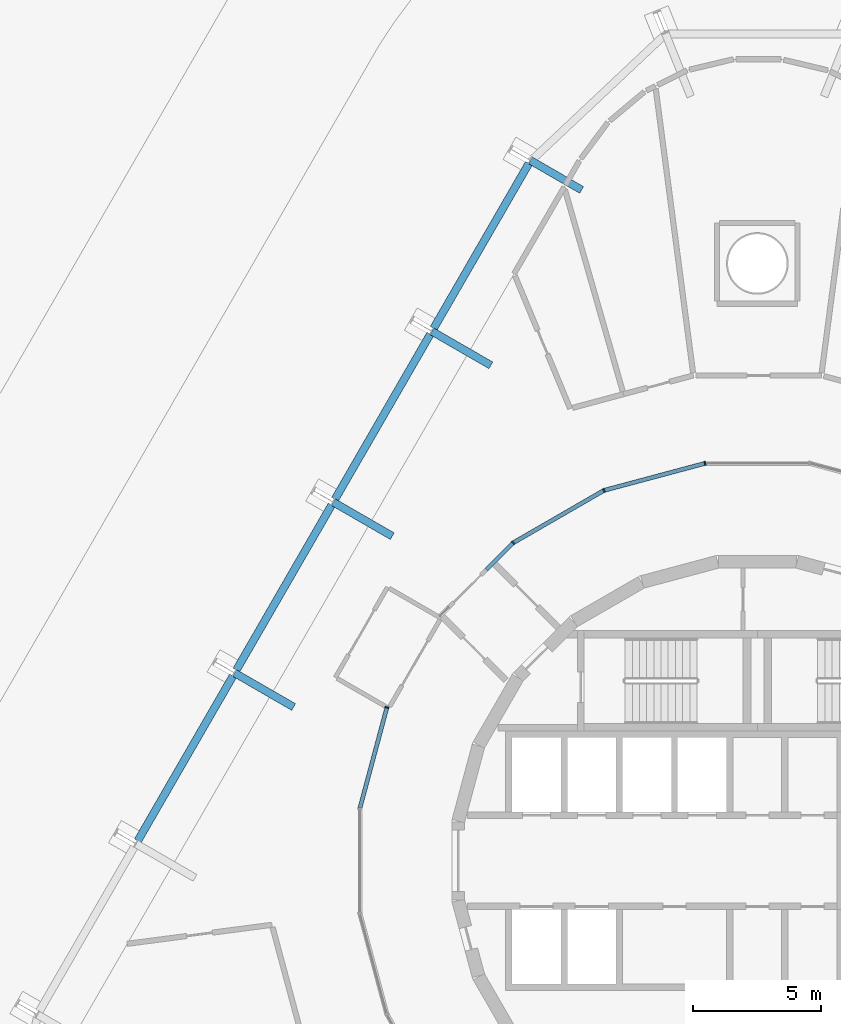
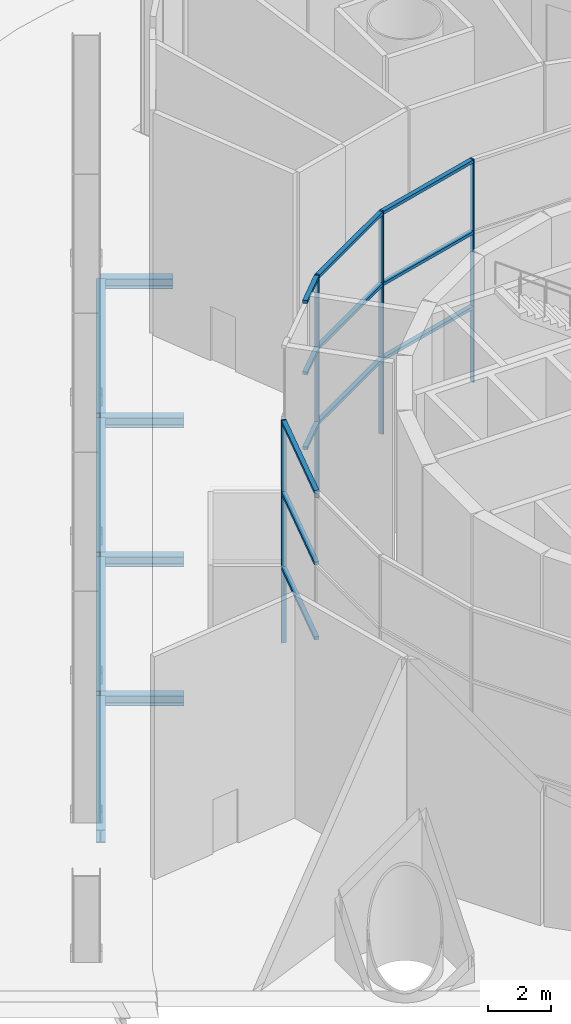
# One storey, part 8 of 21: 16 members, 8 beams, 4 elements without a shape of their own.
"""IFC4 building model written with IfcOpenShell, lengths in metres."""

from ifc_helpers import new_model, si_unit, direction, frame, origin, origin_2d, place, context, subcontext, project, spatial, rectangle, i_section, extrude, material, layer, layer_set, material_profile, profile_set, type_object, element, aggregate, save


model = new_model("IFC4")

# Units and contexts
model_context = context("Model", 3, precision=1e-05, world=origin(), true_north=direction((0.0, 1.0)))
body_context = subcontext(model_context, "Body", "Model", "MODEL_VIEW")
ifc_project = project(units=[si_unit("LENGTHUNIT", "METRE"), si_unit("AREAUNIT", "SQUARE_METRE"), si_unit("VOLUMEUNIT", "CUBIC_METRE"), si_unit("PLANEANGLEUNIT", "RADIAN"), si_unit("MASSUNIT", "GRAM", prefix="KILO")], contexts=[model_context])

# Site, building, storey
site_placement = place(None, origin())
site = spatial("IfcSite", under=ifc_project, at=site_placement, CompositionType="ELEMENT")
building_placement = place(site_placement, origin())
building = spatial("IfcBuilding", under=site, at=building_placement, Name="Spindle Arch Residences", CompositionType="ELEMENT")
storey_placement = place(building_placement, origin())
storey = spatial("IfcBuildingStorey", under=building, at=storey_placement, Name="L00", CompositionType="ELEMENT", Elevation=0.0)

# Curtain wall, member
ifc_material_1 = material(Name="Aluminium bronze unitised frame with tinted glass", Category="aluminium")
ifc_layer = layer(ifc_material_1, 0.159912109375)
ifc_layer_set = layer_set([ifc_layer], Name="CW-A arcade glazed lobby wall")
curtain_wall_type = type_object("IfcCurtainWallType", Name="CW-A arcade glazed lobby wall", PredefinedType="NOTDEFINED", material=ifc_layer_set)
curtain_wall_1_placement = place(storey_placement, origin())
curtain_wall_1 = element("IfcCurtainWall", 1, at=curtain_wall_1_placement, inside=storey, type_object=curtain_wall_type, Name="CW-A L00 CWA11", PredefinedType="NOTDEFINED")
ifc_material_2 = material(Name="Aluminium bronze anodised mullion", Category="aluminium")
ifc_material_profile_1 = material_profile(ifc_material_2, rectangle(XDim=0.159912109375, YDim=0.06005859375, at=origin_2d()), Name="MU 60x160")
ifc_profile_set_1 = profile_set([ifc_material_profile_1], Name="Aluminium bronze anodised mullion")
member_type_1 = type_object("IfcMemberType", Name="Bronze mullion 60x160", PredefinedType="MULLION", material=ifc_profile_set_1)
member_1_placement = place(storey_placement, frame((-2.037353515625, 15.4765625, 0.0), z_axis=(0.0, 0.0, 1.0), x_axis=(0.258786338994, -0.965934589271, 0.0)))
member_1 = element("IfcMember", 2, at=member_1_placement, type_object=member_type_1, Name="CW-A mullion 1", PredefinedType="MULLION", context=body_context, shape_type="SweptSolid", body=[
    extrude(rectangle(XDim=0.159912109375, YDim=0.06005859375, at=origin_2d()), origin(), (0.0, 0.0, 1.0), 8.6201171875),
])

curtain_wall_2_placement = place(storey_placement, origin())
curtain_wall_2 = element("IfcCurtainWall", 3, at=curtain_wall_2_placement, inside=storey, type_object=curtain_wall_type, Name="CW-A L00 CWA12", PredefinedType="NOTDEFINED")
member_2_placement = place(storey_placement, frame((-5.973876953125, 14.422119140625, 0.0), z_axis=(0.0, 0.0, 1.0), x_axis=(0.500022695718, -0.866012300009, 0.0)))
member_2 = element("IfcMember", 4, at=member_2_placement, type_object=member_type_1, Name="CW-A mullion 1", PredefinedType="MULLION", context=body_context, shape_type="SweptSolid", body=[
    extrude(rectangle(XDim=0.159912109375, YDim=0.06005859375, at=origin_2d()), origin(), (0.0, 0.0, 1.0), 8.6201171875),
])

curtain_wall_3_placement = place(storey_placement, origin())
curtain_wall_3 = element("IfcCurtainWall", 5, at=curtain_wall_3_placement, inside=storey, type_object=curtain_wall_type, Name="CW-A L00 CWA13", PredefinedType="NOTDEFINED")
member_3_placement = place(storey_placement, frame((-9.5029296875, 12.38427734375, 0.0), z_axis=(0.0, 0.0, 1.0), x_axis=(0.707106781187, -0.707106781187, 0.0)))
member_3 = element("IfcMember", 6, at=member_3_placement, type_object=member_type_1, Name="CW-A mullion 1", PredefinedType="MULLION", context=body_context, shape_type="SweptSolid", body=[
    extrude(rectangle(XDim=0.159912109375, YDim=0.06005859375, at=origin_2d()), origin(), (0.0, 0.0, 1.0), 8.6201171875),
])

curtain_wall_4_placement = place(storey_placement, origin())
curtain_wall_4 = element("IfcCurtainWall", 7, at=curtain_wall_4_placement, inside=storey, type_object=curtain_wall_type, Name="CW-A L00 CWA15", PredefinedType="NOTDEFINED")
member_4_placement = place(storey_placement, frame((-14.422119140625, 5.973876953125, 0.0), z_axis=(0.0, 0.0, 1.0), x_axis=(0.965934589271, -0.258786338994, 0.0)))
member_4 = element("IfcMember", 8, at=member_4_placement, type_object=member_type_1, Name="CW-A mullion 1", PredefinedType="MULLION", context=body_context, shape_type="SweptSolid", body=[
    extrude(rectangle(XDim=0.159912109375, YDim=0.06005859375, at=origin_2d()), origin(), (0.0, 0.0, 1.0), 8.6201171875),
])

# Member
ifc_material_3 = material(Name="Aluminium bronze anodised transom", Category="aluminium")
ifc_material_profile_2 = material_profile(ifc_material_3, rectangle(XDim=0.159912109375, YDim=0.1201171875, at=origin_2d()), Name="TR 120x160")
ifc_profile_set_2 = profile_set([ifc_material_profile_2], Name="Aluminium bronze anodised transom")
member_type_2 = type_object("IfcMemberType", Name="Bronze transom 120x160", PredefinedType="USERDEFINED", material=ifc_profile_set_2)
member_5_placement = place(storey_placement, frame((-2.06640625, 15.46875, 2.89990234375), z_axis=(-0.965935567517, -0.258782687609, 0.0), x_axis=(0.258782687609, -0.965935567517, 0.0)))
member_5 = element("IfcMember", 9, at=member_5_placement, type_object=member_type_2, Name="CW-A transom 00.1", ObjectType="TRANSOM", PredefinedType="USERDEFINED", context=body_context, shape_type="SweptSolid", body=[
    extrude(rectangle(XDim=0.159912109375, YDim=0.1201171875, at=origin_2d()), origin(), (0.0, 0.0, 1.0), 4.01513671875),
])

member_6_placement = place(storey_placement, frame((-2.06640625, 15.46875, 5.800048828125), z_axis=(-0.965935567517, -0.258782687609, 0.0), x_axis=(0.258782687609, -0.965935567517, 0.0)))
member_6 = element("IfcMember", 10, at=member_6_placement, type_object=member_type_2, Name="CW-A transom 00.2", ObjectType="TRANSOM", PredefinedType="USERDEFINED", context=body_context, shape_type="SweptSolid", body=[
    extrude(rectangle(XDim=0.159912109375, YDim=0.1201171875, at=origin_2d()), origin(), (0.0, 0.0, 1.0), 4.01513671875),
])

member_7_placement = place(storey_placement, frame((-2.06640625, 15.46875, 8.56005859375), z_axis=(-0.965935567517, -0.258782687609, 0.0), x_axis=(0.258782687609, -0.965935567517, 0.0)))
member_7 = element("IfcMember", 11, at=member_7_placement, type_object=member_type_2, Name="CW-A transom 00.3", ObjectType="TRANSOM", PredefinedType="USERDEFINED", context=body_context, shape_type="SweptSolid", body=[
    extrude(rectangle(XDim=0.159912109375, YDim=0.1201171875, at=origin_2d()), origin(), (0.0, 0.0, 1.0), 4.01513671875),
])

aggregate(curtain_wall_1, [member_1, member_5, member_6, member_7])

member_8_placement = place(storey_placement, frame((-5.999755859375, 14.406982421875, 2.89990234375), z_axis=(-0.866015464827, -0.500017214385, 0.0), x_axis=(0.500017214385, -0.866015464827, 0.0)))
member_8 = element("IfcMember", 12, at=member_8_placement, type_object=member_type_2, Name="CW-A transom 00.1", ObjectType="TRANSOM", PredefinedType="USERDEFINED", context=body_context, shape_type="SweptSolid", body=[
    extrude(rectangle(XDim=0.159912109375, YDim=0.1201171875, at=origin_2d()), origin(), (0.0, 0.0, 1.0), 4.014892578125),
])

member_9_placement = place(storey_placement, frame((-5.999755859375, 14.406982421875, 5.800048828125), z_axis=(-0.866015464827, -0.500017214385, 0.0), x_axis=(0.500017214385, -0.866015464827, 0.0)))
member_9 = element("IfcMember", 13, at=member_9_placement, type_object=member_type_2, Name="CW-A transom 00.2", ObjectType="TRANSOM", PredefinedType="USERDEFINED", context=body_context, shape_type="SweptSolid", body=[
    extrude(rectangle(XDim=0.159912109375, YDim=0.1201171875, at=origin_2d()), origin(), (0.0, 0.0, 1.0), 4.014892578125),
])

member_10_placement = place(storey_placement, frame((-5.999755859375, 14.406982421875, 8.56005859375), z_axis=(-0.866015464827, -0.500017214385, 0.0), x_axis=(0.500017214385, -0.866015464827, 0.0)))
member_10 = element("IfcMember", 14, at=member_10_placement, type_object=member_type_2, Name="CW-A transom 00.3", ObjectType="TRANSOM", PredefinedType="USERDEFINED", context=body_context, shape_type="SweptSolid", body=[
    extrude(rectangle(XDim=0.159912109375, YDim=0.1201171875, at=origin_2d()), origin(), (0.0, 0.0, 1.0), 4.014892578125),
])

aggregate(curtain_wall_2, [member_2, member_8, member_9, member_10])

member_11_placement = place(storey_placement, frame((-9.524169921875, 12.363037109375, 2.89990234375), z_axis=(-0.707191146369, -0.707022405938, 0.0), x_axis=(0.707022405938, -0.707191146369, 0.0)))
member_11 = element("IfcMember", 15, at=member_11_placement, type_object=member_type_2, Name="CW-A transom L.1", ObjectType="TRANSOM", PredefinedType="USERDEFINED", context=body_context, shape_type="SweptSolid", body=[
    extrude(rectangle(XDim=0.159912109375, YDim=0.1201171875, at=origin_2d()), origin(), (0.0, 0.0, 1.0), 1.44677734375),
])

member_12_placement = place(storey_placement, frame((-9.524169921875, 12.363037109375, 5.800048828125), z_axis=(-0.707191146369, -0.707022405938, 0.0), x_axis=(0.707022405938, -0.707191146369, 0.0)))
member_12 = element("IfcMember", 16, at=member_12_placement, type_object=member_type_2, Name="CW-A transom L.2", ObjectType="TRANSOM", PredefinedType="USERDEFINED", context=body_context, shape_type="SweptSolid", body=[
    extrude(rectangle(XDim=0.159912109375, YDim=0.1201171875, at=origin_2d()), origin(), (0.0, 0.0, 1.0), 1.44677734375),
])

member_13_placement = place(storey_placement, frame((-9.524169921875, 12.363037109375, 8.56005859375), z_axis=(-0.707191146369, -0.707022405938, 0.0), x_axis=(0.707022405938, -0.707191146369, 0.0)))
member_13 = element("IfcMember", 17, at=member_13_placement, type_object=member_type_2, Name="CW-A transom L.3", ObjectType="TRANSOM", PredefinedType="USERDEFINED", context=body_context, shape_type="SweptSolid", body=[
    extrude(rectangle(XDim=0.159912109375, YDim=0.1201171875, at=origin_2d()), origin(), (0.0, 0.0, 1.0), 1.44677734375),
])

aggregate(curtain_wall_3, [member_3, member_11, member_12, member_13])

member_14_placement = place(storey_placement, frame((-14.4296875, 5.94482421875, 2.89990234375), z_axis=(-0.258782687609, -0.965935567517, 0.0), x_axis=(0.965935567517, -0.258782687609, 0.0)))
member_14 = element("IfcMember", 18, at=member_14_placement, type_object=member_type_2, Name="CW-A transom 00.1", ObjectType="TRANSOM", PredefinedType="USERDEFINED", context=body_context, shape_type="SweptSolid", body=[
    extrude(rectangle(XDim=0.159912109375, YDim=0.1201171875, at=origin_2d()), origin(), (0.0, 0.0, 1.0), 4.01513671875),
])

member_15_placement = place(storey_placement, frame((-14.4296875, 5.94482421875, 5.800048828125), z_axis=(-0.258782687609, -0.965935567517, 0.0), x_axis=(0.965935567517, -0.258782687609, 0.0)))
member_15 = element("IfcMember", 19, at=member_15_placement, type_object=member_type_2, Name="CW-A transom 00.2", ObjectType="TRANSOM", PredefinedType="USERDEFINED", context=body_context, shape_type="SweptSolid", body=[
    extrude(rectangle(XDim=0.159912109375, YDim=0.1201171875, at=origin_2d()), origin(), (0.0, 0.0, 1.0), 4.01513671875),
])

member_16_placement = place(storey_placement, frame((-14.4296875, 5.94482421875, 8.56005859375), z_axis=(-0.258782687609, -0.965935567517, 0.0), x_axis=(0.965935567517, -0.258782687609, 0.0)))
member_16 = element("IfcMember", 20, at=member_16_placement, type_object=member_type_2, Name="CW-A transom 00.3", ObjectType="TRANSOM", PredefinedType="USERDEFINED", context=body_context, shape_type="SweptSolid", body=[
    extrude(rectangle(XDim=0.159912109375, YDim=0.1201171875, at=origin_2d()), origin(), (0.0, 0.0, 1.0), 4.01513671875),
])

aggregate(curtain_wall_4, [member_4, member_14, member_15, member_16])

# Beams
ifc_material_4 = material(Name="Steel S460ML, intumescent coating R 120", Category="steel")
ifc_material_profile_3 = material_profile(ifc_material_4, i_section(OverallWidth=0.300048828125, OverallDepth=0.5, WebThickness=0.014404296875, FlangeThickness=0.028076171875, FilletRadius=0.027099609375, at=origin_2d()), Name="HEB 500")
ifc_profile_set_3 = profile_set([ifc_material_profile_3], Name="Steel S460ML, intumescent coating R 120")
beam_type_1 = type_object("IfcBeamType", Name="Exoskeleton edge beam HEB 500", PredefinedType="BEAM", material=ifc_profile_set_3)
for number, where, z_axis, x_axis, name in (
    (21, (-8.893798828125, 27.1552734375, -0.949951171875), (-0.5000139068, -0.866017374541, 0.0), (0.866017374541, -0.5000139068, 0.0), "Exoskeleton edge beam 14"),
    (22, (-12.73388671875, 20.504150390625, -0.949951171875), (-0.49998923004, -0.866031621735, 0.0), (0.866031621735, -0.49998923004, 0.0), "Exoskeleton edge beam 15"),
):
    element("IfcBeam", number, at=place(storey_placement, frame(where, z_axis=z_axis, x_axis=x_axis)), inside=storey, type_object=beam_type_1, Name=name, PredefinedType="BEAM", context=body_context, shape_type="SweptSolid", body=[
        extrude(i_section(OverallWidth=0.300048828125, OverallDepth=0.5, WebThickness=0.014404296875, FlangeThickness=0.028076171875, FilletRadius=0.027099609375, at=origin_2d()), origin(), (0.0, 0.0, 1.0), 7.420166015625),
    ])
beam_1_placement = place(storey_placement, frame((-16.573974609375, 13.852783203125, -0.949951171875), z_axis=(-0.500003477455, -0.866023396066, 0.0), x_axis=(0.866023396066, -0.500003477455, 0.0)))
element("IfcBeam", 23, at=beam_1_placement, inside=storey, type_object=beam_type_1, Name="Exoskeleton edge beam 16", PredefinedType="BEAM", context=body_context, shape_type="SweptSolid", body=[
    extrude(i_section(OverallWidth=0.300048828125, OverallDepth=0.5, WebThickness=0.014404296875, FlangeThickness=0.028076171875, FilletRadius=0.027099609375, at=origin_2d()), origin(), (0.0, 0.0, 1.0), 7.419921875),
])
beam_2_placement = place(storey_placement, frame((-20.4140625, 7.201904296875, -0.949951171875), z_axis=(-0.49998923004, -0.866031621735, 0.0), x_axis=(0.866031621735, -0.49998923004, 0.0)))
element("IfcBeam", 24, at=beam_2_placement, inside=storey, type_object=beam_type_1, Name="Exoskeleton edge beam 17", PredefinedType="BEAM", context=body_context, shape_type="SweptSolid", body=[
    extrude(i_section(OverallWidth=0.300048828125, OverallDepth=0.5, WebThickness=0.014404296875, FlangeThickness=0.028076171875, FilletRadius=0.027099609375, at=origin_2d()), origin(), (0.0, 0.0, 1.0), 7.420166015625),
])
ifc_material_5 = material(Name="Steel S460ML, intumescent coating R 120", Category="steel")
ifc_material_profile_4 = material_profile(ifc_material_5, i_section(OverallWidth=0.300048828125, OverallDepth=0.389892578125, WebThickness=0.010986328125, FlangeThickness=0.01904296875, FilletRadius=0.027099609375, at=origin_2d()), Name="HEA 400")
ifc_profile_set_4 = profile_set([ifc_material_profile_4], Name="Steel S460ML, intumescent coating R 120")
beam_type_2 = type_object("IfcBeamType", Name="Floor outrigger HEA 400", PredefinedType="BEAM", material=ifc_profile_set_4)
beam_3_placement = place(storey_placement, frame((-8.828857421875, 27.267822265625, -0.89501953125), z_axis=(0.866020755578, -0.500008050843, 0.0), x_axis=(0.500008050843, 0.866020755578, 0.0)))
element("IfcBeam", 25, at=beam_3_placement, inside=storey, type_object=beam_type_2, Name="Floor outrigger 14", PredefinedType="BEAM", context=body_context, shape_type="SweptSolid", body=[
    extrude(i_section(OverallWidth=0.300048828125, OverallDepth=0.389892578125, WebThickness=0.010986328125, FlangeThickness=0.01904296875, FilletRadius=0.027099609375, at=origin_2d()), origin(), (0.0, 0.0, 1.0), 2.2939453125),
])
for number, where, z_axis, x_axis, name in (
    (26, (-12.6689453125, 20.61669921875, -0.89501953125), (0.866052124492, -0.499953715521, 0.0), (0.499953715521, 0.866052124492, 0.0), "Floor outrigger 15"),
    (27, (-16.5087890625, 13.965576171875, -0.89501953125), (0.865989200783, -0.500062700197, 0.0), (0.500062700197, 0.865989200783, 0.0), "Floor outrigger 16"),
    (28, (-20.34912109375, 7.314453125, -0.89501953125), (0.866052124492, -0.499953715521, 0.0), (0.499953715521, 0.866052124492, 0.0), "Floor outrigger 17"),
):
    element("IfcBeam", number, at=place(storey_placement, frame(where, z_axis=z_axis, x_axis=x_axis)), inside=storey, type_object=beam_type_2, Name=name, PredefinedType="BEAM", context=body_context, shape_type="SweptSolid", body=[
        extrude(i_section(OverallWidth=0.300048828125, OverallDepth=0.389892578125, WebThickness=0.010986328125, FlangeThickness=0.01904296875, FilletRadius=0.027099609375, at=origin_2d()), origin(), (0.0, 0.0, 1.0), 2.650146484375),
    ])

save(model, "model.ifc")
